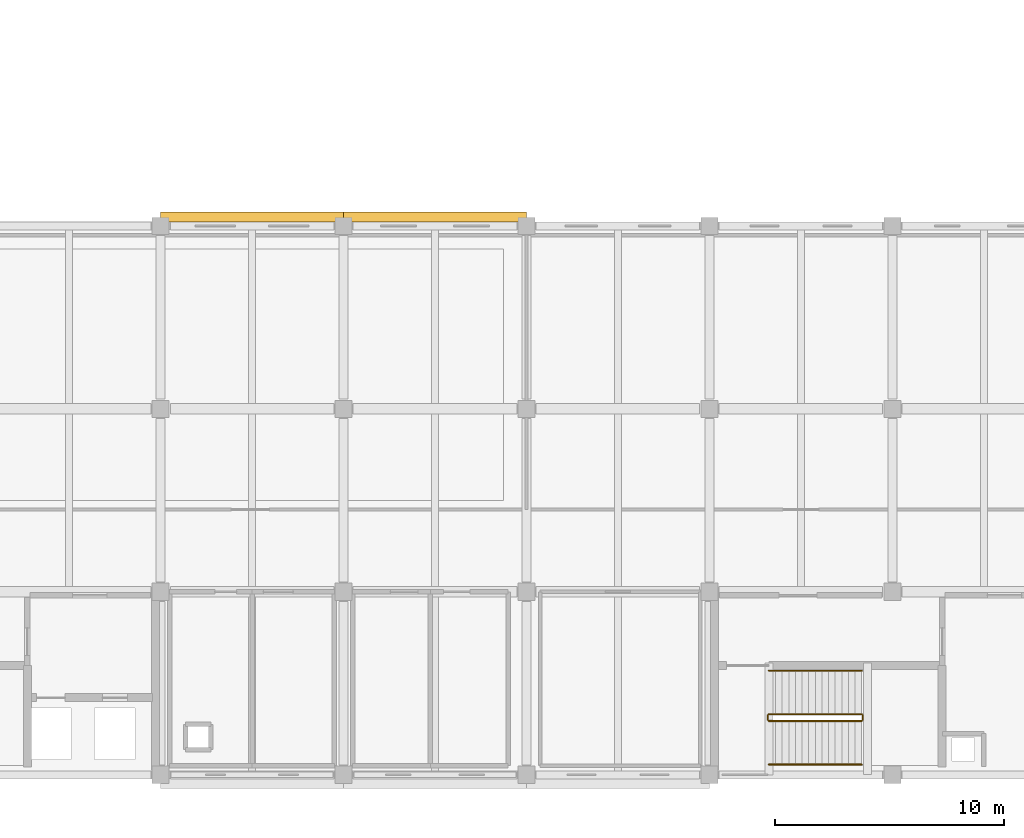
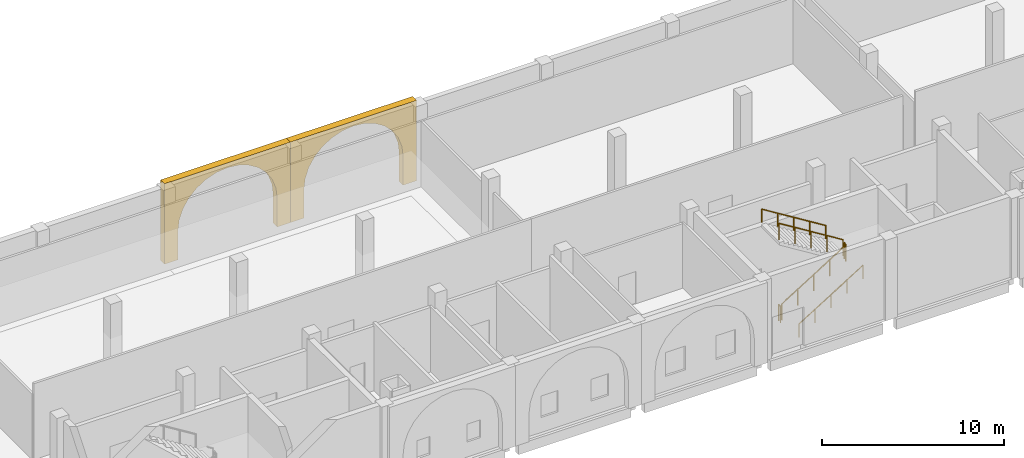
# One storey, part 35 of 40: 6 railings, 2 coverings.
"""IFC4 building model written with IfcOpenShell, lengths in metres."""

import ifcopenshell
import ifcopenshell.guid

model = None  # the IFC model being written
_history = None  # IfcOwnerHistory: only IFC2X3 demands one
_inside = {}  # id of a spatial element -> (the spatial element, [elements in it])
_under = {}  # id of a project, library or spatial element -> (it, [spatial elements below it])
_declared = {}  # id of a project -> (the project, [libraries it declares])
_typed = {}  # id of a type object -> (the type object, [elements of that type])
_made_of = {}  # id of a material, layer set ... -> (it, [elements and type objects made of it])


def new_model(schema):
    """Start an empty IFC model of exactly this schema.

    Asked for "IFC4X3", IfcOpenShell would pick the latest addendum, in which some entities
    have other attributes; the version numbers below select the first issue.
    IFC2X3 requires an IfcOwnerHistory on every rooted entity: one is made here for all.
    """
    global model, _history
    if schema == "IFC4X3":
        model = ifcopenshell.file(schema_version=(4, 3, 0, 0))
    else:
        model = ifcopenshell.file(schema=schema)
    _inside.clear()
    _under.clear()
    _declared.clear()
    _typed.clear()
    _made_of.clear()
    _history = None
    if model.schema == "IFC2X3":
        org = make("IfcOrganization", Name="unknown")
        user = make(
            "IfcPersonAndOrganization",
            ThePerson=make("IfcPerson", FamilyName="unknown"),
            TheOrganization=org,
        )
        app = make(
            "IfcApplication",
            ApplicationDeveloper=org,
            Version="unknown",
            ApplicationFullName="unknown",
            ApplicationIdentifier="unknown",
        )
        _history = make(
            "IfcOwnerHistory",
            OwningUser=user,
            OwningApplication=app,
            ChangeAction="ADDED",
            CreationDate=0,
        )
    return model


def make(cls, **values):
    """One entity of the class cls with the attributes given. An attribute that is None is left unset."""
    return model.create_entity(
        cls, **{name: value for name, value in values.items() if value is not None}
    )


def rooted(cls, **values):
    """An entity with a GlobalId (a new one), such as an element, a storey or a relation."""
    return make(cls, GlobalId=ifcopenshell.guid.new(), OwnerHistory=_history, **values)


def si_unit(unit_type, name, prefix=None):
    """IfcSIUnit, for example si_unit("LENGTHUNIT", "METRE", prefix="MILLI")."""
    return make("IfcSIUnit", UnitType=unit_type, Prefix=prefix, Name=name)


def assignment(units):
    """IfcUnitAssignment: the units of a project."""
    return None if units is None else make("IfcUnitAssignment", Units=units)


def point(xyz):
    """IfcCartesianPoint."""
    return None if xyz is None else make("IfcCartesianPoint", Coordinates=xyz)


def direction(xyz):
    """IfcDirection."""
    return None if xyz is None else make("IfcDirection", DirectionRatios=xyz)


def frame(location, z_axis=None, x_axis=None):
    """IfcAxis2Placement3D, a coordinate frame: its origin and axes. An axis left out is left unset."""
    return make(
        "IfcAxis2Placement3D",
        Location=point(location),
        Axis=direction(z_axis),
        RefDirection=direction(x_axis),
    )


def frame_2d(location, x_axis=None):
    """IfcAxis2Placement2D, a coordinate frame in the plane: its origin and x axis."""
    return make(
        "IfcAxis2Placement2D", Location=point(location), RefDirection=direction(x_axis)
    )


def origin():
    """The frame at (0, 0, 0) with its axes left unset."""
    return frame((0.0, 0.0, 0.0))


def origin_2d():
    """The frame at (0, 0) in the plane with its x axis left unset."""
    return frame_2d((0.0, 0.0))


def place(relative_to, where):
    """IfcLocalPlacement: puts the frame where relative to a parent placement (None: the world)."""
    return make(
        "IfcLocalPlacement", PlacementRelTo=relative_to, RelativePlacement=where
    )


def context(
    kind, dimensions, precision=None, world=None, true_north=None, identifier=None
):
    """IfcGeometricRepresentationContext, for example the 3D "Model" context."""
    return make(
        "IfcGeometricRepresentationContext",
        ContextIdentifier=identifier,
        ContextType=kind,
        CoordinateSpaceDimension=dimensions,
        Precision=precision,
        WorldCoordinateSystem=world,
        TrueNorth=true_north,
    )


def subcontext(parent, identifier, kind, view, scale=None):
    """IfcGeometricRepresentationSubContext, for example "Body" below "Model"."""
    return make(
        "IfcGeometricRepresentationSubContext",
        ContextIdentifier=identifier,
        ContextType=kind,
        ParentContext=parent,
        TargetScale=scale,
        TargetView=view,
    )


def project(units=None, contexts=None):
    """IfcProject with its units and contexts."""
    return rooted(
        "IfcProject",
        Name="project",
        RepresentationContexts=contexts,
        UnitsInContext=assignment(units),
    )


def spatial(cls, under=None, at=None, **own):
    """A site, building, storey or space (cls), placed at a placement, below another one or the project."""
    s = rooted(cls, ObjectPlacement=at, **own)
    if under is not None:
        _under.setdefault(under.id(), (under, []))[1].append(s)
    return s


def polyline(points):
    """IfcPolyline through the points."""
    return make("IfcPolyline", Points=[point(p) for p in points])


def profile(cls, at=None, kind="AREA", **sizes):
    """A parametric profile (cls). Its sizes go by their IFC names, for example OverallWidth=200.0."""
    return make(cls, ProfileType=kind, Position=at, **sizes)


def circle(**sizes):
    """IfcCircleProfileDef."""
    return profile("IfcCircleProfileDef", **sizes)


def outline(outer, holes=None, kind="AREA"):
    """IfcArbitraryClosedProfileDef: a profile drawn as a closed curve; with holes, ...WithVoids."""
    if holes is None:
        return make("IfcArbitraryClosedProfileDef", ProfileType=kind, OuterCurve=outer)
    return make(
        "IfcArbitraryProfileDefWithVoids",
        ProfileType=kind,
        OuterCurve=outer,
        InnerCurves=holes,
    )


def extrude(swept, where, along, depth):
    """IfcExtrudedAreaSolid: the profile swept, set in the frame where, extruded along a direction by depth."""
    return make(
        "IfcExtrudedAreaSolid",
        SweptArea=swept,
        Position=where,
        ExtrudedDirection=direction(along),
        Depth=depth,
    )


def shape(context_of_items, identifier, shape_type, items):
    """IfcShapeRepresentation: the items that make up one representation, for example the "Body"."""
    return make(
        "IfcShapeRepresentation",
        ContextOfItems=context_of_items,
        RepresentationIdentifier=identifier,
        RepresentationType=shape_type,
        Items=items,
    )


def material(Name=None, Category=None):
    """IfcMaterial."""
    return make("IfcMaterial", Name=Name, Category=Category)


def layer(
    of_material, thickness, ventilated=None, Name=None, Category=None, Priority=None
):
    """IfcMaterialLayer: one layer of a wall or slab, of a material (None: an air gap)."""
    return make(
        "IfcMaterialLayer",
        Material=of_material,
        LayerThickness=thickness,
        IsVentilated=ventilated,
        Name=Name,
        Category=Category,
        Priority=Priority,
    )


def layer_set(layers, Name=None):
    """IfcMaterialLayerSet."""
    return make("IfcMaterialLayerSet", MaterialLayers=layers, LayerSetName=Name)


def made_of(thing, what):
    """Note that an element or type object is made of a material, layer set ...; save() writes the relation."""
    if what is not None:
        _made_of.setdefault(what.id(), (what, []))[1].append(thing)
    return thing


def type_object(cls, material=None, **own):
    """A type object (cls), such as IfcWallType, which elements share."""
    return made_of(rooted(cls, **own), material)


def element(
    cls,
    number,
    at=None,
    inside=None,
    cuts=None,
    type_object=None,
    material=None,
    context=None,
    identifier="Body",
    shape_type=None,
    held_by="IfcProductDefinitionShape",
    body=None,
    shapes=None,
    **own,
):
    """One element of the class cls, such as IfcWall. Its Tag is "e" and its number.

    at: its placement. inside: the storey or other place that contains it. cuts: it is an
    opening in that element (IfcRelVoidsElement). A single representation is given by context,
    identifier, shape_type and body (its items); several are given by shapes. held_by: the class
    of the entity that holds the representations. save() writes the other relations.
    """
    e = rooted(cls, Tag="e%d" % number, ObjectPlacement=at, **own)
    if body is not None:
        shapes = [shape(context, identifier, shape_type, body)]
    if shapes is not None:
        e.Representation = make(held_by, Representations=shapes)
    if inside is not None:
        _inside.setdefault(inside.id(), (inside, []))[1].append(e)
    if cuts is not None:
        rooted(
            "IfcRelVoidsElement", RelatingBuildingElement=cuts, RelatedOpeningElement=e
        )
    if type_object is not None:
        _typed.setdefault(type_object.id(), (type_object, []))[1].append(e)
    return made_of(e, material)


def aggregate(whole, parts):
    """IfcRelAggregates: a whole, such as a stair, and the parts it consists of."""
    return rooted("IfcRelAggregates", RelatingObject=whole, RelatedObjects=parts)


def save(model, path):
    """Write the relations noted so far, then the file.

    IfcRelAggregates (storeys below a building ...), IfcRelContainedInSpatialStructure (elements
    in a storey), IfcRelDefinesByType, IfcRelAssociatesMaterial and IfcRelDeclares: one each for
    every whole, place, type object, material and project.
    """
    for whole, parts in _under.values():
        aggregate(whole, parts)
    for where, things in _inside.values():
        rooted(
            "IfcRelContainedInSpatialStructure",
            RelatedElements=things,
            RelatingStructure=where,
        )
    for kind, things in _typed.values():
        rooted("IfcRelDefinesByType", RelatedObjects=things, RelatingType=kind)
    for what, things in _made_of.values():
        rooted("IfcRelAssociatesMaterial", RelatedObjects=things, RelatingMaterial=what)
    for by, libraries in _declared.values():
        rooted("IfcRelDeclares", RelatingContext=by, RelatedDefinitions=libraries)
    model.write(path)


model = new_model("IFC4")

# Units and contexts
model_context = context("Model", 3, precision=1e-05, world=origin(), true_north=direction((0.0, 1.0)))
body_context = subcontext(model_context, "Body", "Model", "MODEL_VIEW")
ifc_project = project(units=[si_unit("LENGTHUNIT", "METRE"), si_unit("AREAUNIT", "SQUARE_METRE"), si_unit("VOLUMEUNIT", "CUBIC_METRE"), si_unit("PLANEANGLEUNIT", "RADIAN"), si_unit("MASSUNIT", "GRAM", prefix="KILO")], contexts=[model_context])

# Site, building, storey
site_placement = place(None, origin())
site = spatial("IfcSite", under=ifc_project, at=site_placement, CompositionType="ELEMENT")
building_placement = place(site_placement, origin())
building = spatial("IfcBuilding", under=site, at=building_placement, Name="Qorikala Patio Media Centre", CompositionType="ELEMENT")
storey_placement = place(building_placement, origin())
storey = spatial("IfcBuildingStorey", under=building, at=storey_placement, Name="L00", CompositionType="ELEMENT", Elevation=0.0)

# Coverings
ifc_material_1 = material(Name="Comanche Granite Ashlar Stone", Category="masonry")
ifc_layer = layer(ifc_material_1, 0.06005859375)
ifc_layer_set = layer_set([ifc_layer], Name="Comanche Granite Ashlar Stone")
covering_type = type_object("IfcCoveringType", Name="COV-CLAD-STONE", PredefinedType="CLADDING", material=ifc_layer_set)
for number, where, z_axis, x_axis, name in (
    (1, (98.0, 27.3798828125, 0.0), (0.0, 0.0, 1.0), (1.0, 0.0, 0.0), "Spanish Colonial Stone Arched Arcade PORT-P5"),
    (2, (106.0, 27.3798828125, 0.0), (0.0, 0.0, 1.0), (1.0, 0.0, 0.0), "Spanish Colonial Stone Arched Arcade PORT-P6"),
):
    element("IfcCovering", number, at=place(storey_placement, frame(where, z_axis=z_axis, x_axis=x_axis)), inside=storey, type_object=covering_type, Name=name, PredefinedType="CLADDING", context=body_context, shape_type="SweptSolid", body=[
        extrude(outline(polyline([(0.0, 0.0), (0.85009765625, 0.0), (0.85009765625, 1.929931640625), (0.928955078125, 2.630859375), (1.161865234375, 3.296630859375), (1.537109375, 3.893798828125), (2.035888671875, 4.392578125), (2.63330078125, 4.76806640625), (3.299072265625, 5.0009765625), (4.0, 5.079833984375), (4.700927734375, 5.0009765625), (5.36669921875, 4.76806640625), (5.964111328125, 4.392578125), (6.462890625, 3.893798828125), (6.838134765625, 3.296630859375), (7.071044921875, 2.630859375), (7.14990234375, 1.929931640625), (7.14990234375, 0.0), (8.0, 0.0), (8.0, 5.39990234375), (0.0, 5.39990234375), (0.0, 0.0)])), frame((0.0, 0.219970703125, 0.0), z_axis=(0.0, -1.0, 0.0), x_axis=(1.0, 0.0, 0.0)), (0.0, 0.0, 1.0), 0.43994140625),
    ])

# Railings
ifc_material_2 = material(Name="Wrought Bronze and Steel S355", Category="steel")
railing_type_1 = type_object("IfcRailingType", Name="RL-GUARD-110", PredefinedType="GUARDRAIL", material=ifc_material_2)
railing_1_placement = place(storey_placement, frame((124.60009765625, 5.35009765625, 0.179931640625)))
element("IfcRailing", 3, at=railing_1_placement, inside=storey, type_object=railing_type_1, Name="L00 ST-7 stair guard 1", PredefinedType="GUARDRAIL", context=body_context, shape_type="SweptSolid", body=[
    extrude(circle(Radius=0.02392578125, at=origin_2d()), frame((0.0, 0.0, 1.076171875), z_axis=(0.849627535208, 0.0, 0.527383211162), x_axis=(0.0, 1.0, 0.0)), (0.0, 0.0, 1.0), 4.7783203125),
    extrude(circle(Radius=0.02099609375, at=origin_2d()), origin(), (0.0, 0.0, 1.0), 1.052001953125),
    extrude(circle(Radius=0.02099609375, at=origin_2d()), frame((1.014892578125, 0.0, 0.6298828125)), (0.0, 0.0, 1.0), 1.052001953125),
    extrude(circle(Radius=0.02099609375, at=origin_2d()), frame((2.02978515625, 0.0, 1.260009765625)), (0.0, 0.0, 1.0), 1.052001953125),
    extrude(circle(Radius=0.02099609375, at=origin_2d()), frame((3.044921875, 0.0, 1.89013671875)), (0.0, 0.0, 1.0), 1.052001953125),
    extrude(circle(Radius=0.02099609375, at=origin_2d()), frame((4.059814453125, 0.0, 2.52001953125)), (0.0, 0.0, 1.0), 1.052001953125),
])
railing_2_placement = place(storey_placement, frame((128.7099609375, 5.39990234375, 2.699951171875)))
element("IfcRailing", 4, at=railing_2_placement, inside=storey, type_object=railing_type_1, Name="L00 ST-7 stair guard 2", PredefinedType="GUARDRAIL", context=body_context, shape_type="SweptSolid", body=[
    extrude(circle(Radius=0.02392578125, at=origin_2d()), frame((0.0, 0.0, 1.076171875), z_axis=(0.0, 1.0, 0.0), x_axis=(-1.0, 0.0, 0.0)), (0.0, 0.0, 1.0), 0.2001953125),
    extrude(circle(Radius=0.02099609375, at=origin_2d()), origin(), (0.0, 0.0, 1.0), 1.052001953125),
    extrude(circle(Radius=0.02099609375, at=origin_2d()), frame((0.0, 0.2001953125, 0.0)), (0.0, 0.0, 1.0), 1.052001953125),
])
railing_3_placement = place(storey_placement, frame((128.659912109375, 5.64990234375, 2.8798828125)))
element("IfcRailing", 5, at=railing_3_placement, inside=storey, type_object=railing_type_1, Name="L00 ST-7 stair guard 3", PredefinedType="GUARDRAIL", context=body_context, shape_type="SweptSolid", body=[
    extrude(circle(Radius=0.02392578125, at=origin_2d()), frame((0.0, 0.0, 1.076171875), z_axis=(-0.849627535208, 0.0, 0.527383211162), x_axis=(0.0, -1.0, 0.0)), (0.0, 0.0, 1.0), 4.7783203125),
    extrude(circle(Radius=0.02099609375, at=origin_2d()), origin(), (0.0, 0.0, 1.0), 1.052001953125),
    extrude(circle(Radius=0.02099609375, at=origin_2d()), frame((-1.014892578125, 0.0, 0.6298828125)), (0.0, 0.0, 1.0), 1.052001953125),
    extrude(circle(Radius=0.02099609375, at=origin_2d()), frame((-2.02978515625, 0.0, 1.260009765625)), (0.0, 0.0, 1.0), 1.052001953125),
    extrude(circle(Radius=0.02099609375, at=origin_2d()), frame((-3.044921875, 0.0, 1.89013671875)), (0.0, 0.0, 1.0), 1.052001953125),
    extrude(circle(Radius=0.02099609375, at=origin_2d()), frame((-4.059814453125, 0.0, 2.52001953125)), (0.0, 0.0, 1.0), 1.052001953125),
])
railing_4_placement = place(storey_placement, frame((124.550048828125, 5.39990234375, 0.0)))
element("IfcRailing", 6, at=railing_4_placement, inside=storey, type_object=railing_type_1, Name="L00 ST-7 stair guard 4", PredefinedType="GUARDRAIL", context=body_context, shape_type="SweptSolid", body=[
    extrude(circle(Radius=0.02392578125, at=origin_2d()), frame((0.0, 0.0, 1.076171875), z_axis=(0.0, 1.0, 0.0), x_axis=(-1.0, 0.0, 0.0)), (0.0, 0.0, 1.0), 0.2001953125),
    extrude(circle(Radius=0.02099609375, at=origin_2d()), origin(), (0.0, 0.0, 1.0), 1.052001953125),
    extrude(circle(Radius=0.02099609375, at=origin_2d()), frame((0.0, 0.2001953125, 0.0)), (0.0, 0.0, 1.0), 1.052001953125),
])
ifc_material_3 = material(Name="Brushed Bronze Tubular Steel S355", Category="steel")
railing_type_2 = type_object("IfcRailingType", Name="RL-HAND-090", PredefinedType="HANDRAIL", material=ifc_material_3)
railing_5_placement = place(storey_placement, frame((124.60009765625, 3.449951171875, 0.179931640625)))
element("IfcRailing", 7, at=railing_5_placement, inside=storey, type_object=railing_type_2, Name="L00 ST-7 stair handrail 1", PredefinedType="HANDRAIL", context=body_context, shape_type="SweptSolid", body=[
    extrude(circle(Radius=0.02392578125, at=origin_2d()), frame((0.0, 0.0, 0.8759765625), z_axis=(0.849627535208, 0.0, 0.527383211162), x_axis=(0.0, 1.0, 0.0)), (0.0, 0.0, 1.0), 4.7783203125),
    extrude(circle(Radius=0.02099609375, at=origin_2d()), origin(), (0.0, 0.0, 1.0), 0.851806640625),
    extrude(circle(Radius=0.02099609375, at=origin_2d()), frame((1.014892578125, 0.0, 0.6298828125)), (0.0, 0.0, 1.0), 0.851806640625),
    extrude(circle(Radius=0.02099609375, at=origin_2d()), frame((2.02978515625, 0.0, 1.260009765625)), (0.0, 0.0, 1.0), 0.851806640625),
    extrude(circle(Radius=0.02099609375, at=origin_2d()), frame((3.044921875, 0.0, 1.89013671875)), (0.0, 0.0, 1.0), 0.851806640625),
    extrude(circle(Radius=0.02099609375, at=origin_2d()), frame((4.059814453125, 0.0, 2.52001953125)), (0.0, 0.0, 1.0), 0.851806640625),
])
railing_6_placement = place(storey_placement, frame((128.659912109375, 7.550048828125, 2.8798828125)))
element("IfcRailing", 8, at=railing_6_placement, inside=storey, type_object=railing_type_2, Name="L00 ST-7 stair handrail 2", PredefinedType="HANDRAIL", context=body_context, shape_type="SweptSolid", body=[
    extrude(circle(Radius=0.02392578125, at=origin_2d()), frame((0.0, 0.0, 0.8759765625), z_axis=(-0.849627535208, 0.0, 0.527383211162), x_axis=(0.0, -1.0, 0.0)), (0.0, 0.0, 1.0), 4.7783203125),
    extrude(circle(Radius=0.02099609375, at=origin_2d()), origin(), (0.0, 0.0, 1.0), 0.851806640625),
    extrude(circle(Radius=0.02099609375, at=origin_2d()), frame((-1.014892578125, 0.0, 0.6298828125)), (0.0, 0.0, 1.0), 0.851806640625),
    extrude(circle(Radius=0.02099609375, at=origin_2d()), frame((-2.02978515625, 0.0, 1.260009765625)), (0.0, 0.0, 1.0), 0.851806640625),
    extrude(circle(Radius=0.02099609375, at=origin_2d()), frame((-3.044921875, 0.0, 1.89013671875)), (0.0, 0.0, 1.0), 0.851806640625),
    extrude(circle(Radius=0.02099609375, at=origin_2d()), frame((-4.059814453125, 0.0, 2.52001953125)), (0.0, 0.0, 1.0), 0.851806640625),
])

save(model, "model.ifc")
